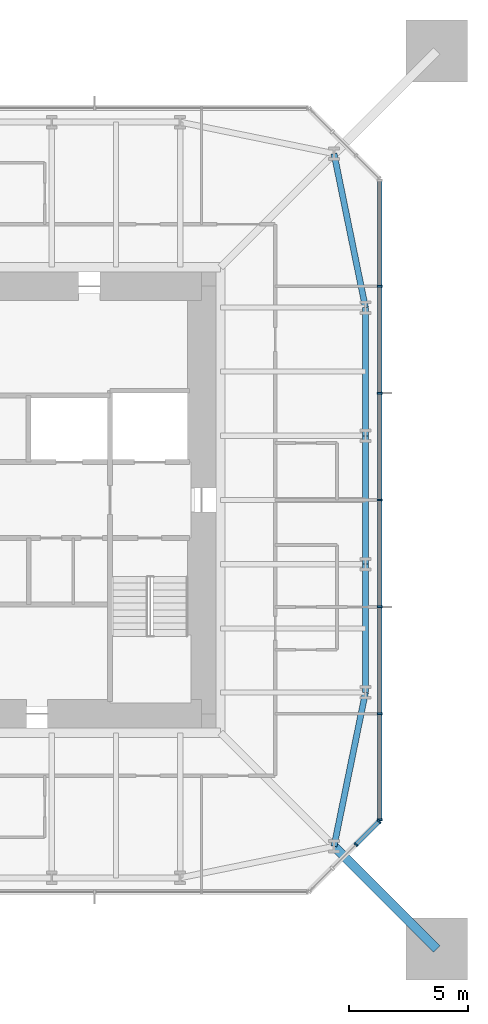
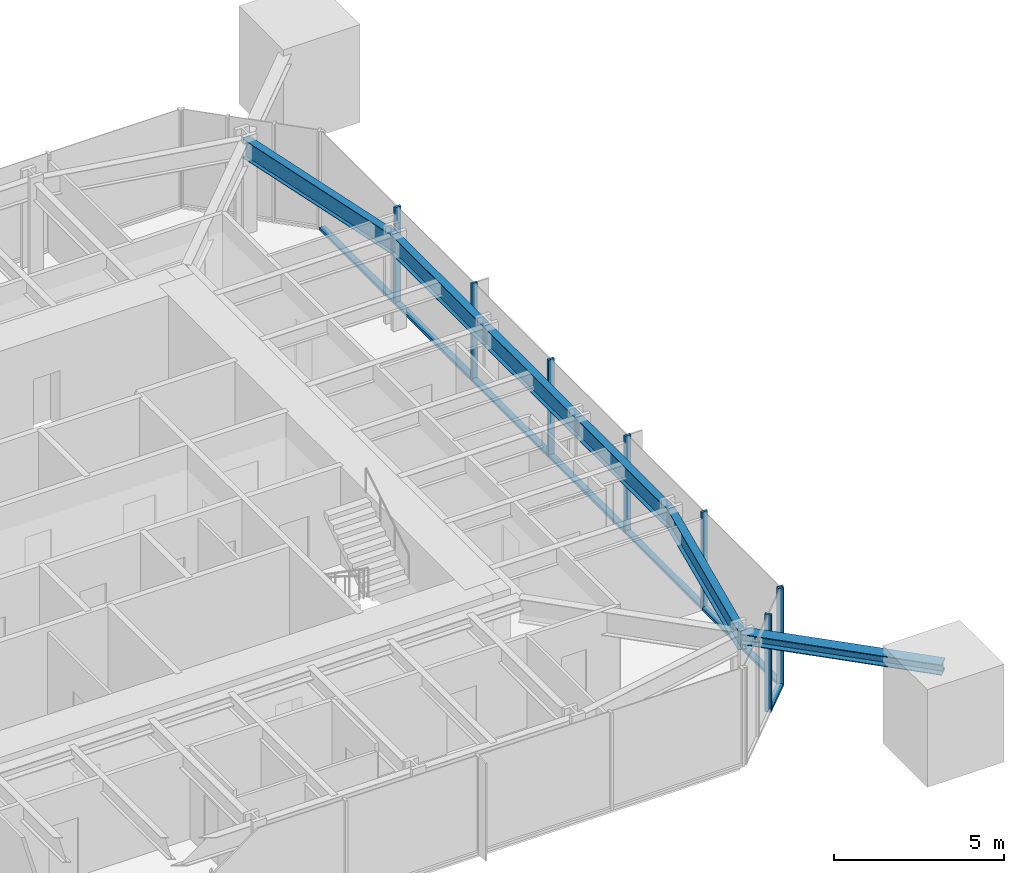
# One storey, part 3 of 9: 16 members, 5 beams, 2 elements without a shape of their own.
"""IFC4 building model written with IfcOpenShell, lengths in metres."""

from ifc_helpers import new_model, si_unit, direction, frame, origin, origin_2d, place, context, subcontext, project, spatial, rectangle, i_section, extrude, material, material_profile, profile_set, type_object, element, aggregate, save


model = new_model("IFC4")

# Units and contexts
model_context = context("Model", 3, precision=1e-05, world=origin(), true_north=direction((0.0, 1.0)))
body_context = subcontext(model_context, "Body", "Model", "MODEL_VIEW")
ifc_project = project(units=[si_unit("LENGTHUNIT", "METRE"), si_unit("AREAUNIT", "SQUARE_METRE"), si_unit("VOLUMEUNIT", "CUBIC_METRE"), si_unit("PLANEANGLEUNIT", "RADIAN"), si_unit("MASSUNIT", "GRAM", prefix="KILO")], contexts=[model_context])

# Site, building, storey
site_placement = place(None, origin())
site = spatial("IfcSite", under=ifc_project, at=site_placement, CompositionType="ELEMENT")
building_placement = place(site_placement, origin())
building = spatial("IfcBuilding", under=site, at=building_placement, Name="Iwan Alto Co-Living Towers", CompositionType="ELEMENT")
storey_placement = place(building_placement, frame((0.0, 0.0, 250.0)))
storey = spatial("IfcBuildingStorey", under=building, at=storey_placement, Name="L68", CompositionType="ELEMENT", Elevation=250.0)

# Curtain wall, members
ifc_material_1 = material(Name="Bronze aluminium unitised frame", Category="aluminium")
curtain_wall_type_1 = type_object("IfcCurtainWallType", Name="CURTAIN WALL CW-A", PredefinedType="NOTDEFINED", material=ifc_material_1)
curtain_wall_1_placement = place(storey_placement, origin())
curtain_wall_1 = element("IfcCurtainWall", 1, at=curtain_wall_1_placement, inside=storey, type_object=curtain_wall_type_1, Name="T1 curtain wall E L68", PredefinedType="NOTDEFINED")
ifc_material_2 = material(Name="Aluminium 6063-T6 bronze anodised", Category="aluminium")
ifc_material_profile_1 = material_profile(ifc_material_2, rectangle(XDim=0.199951171875, YDim=0.080078125, at=origin_2d()), Name="AL 80X200")
ifc_profile_set_1 = profile_set([ifc_material_profile_1], Name="Aluminium 6063-T6 bronze anodised")
member_type_1 = type_object("IfcMemberType", Name="CW-A MULLION 80X200", PredefinedType="MULLION", material=ifc_profile_set_1)
member_1_placement = place(storey_placement, frame((16.5, -13.4599609375, 0.0), z_axis=(0.0, 0.0, 1.0), x_axis=(-1.0, 0.0, 0.0)))
member_1 = element("IfcMember", 2, at=member_1_placement, type_object=member_type_1, Name="CW-A mullion 1", PredefinedType="MULLION", context=body_context, shape_type="SweptSolid", body=[
    extrude(rectangle(XDim=0.199951171875, YDim=0.080078125, at=origin_2d()), origin(), (0.0, 0.0, 1.0), 3.5),
])
member_2_placement = place(storey_placement, frame((16.5, -9.0, 0.0), z_axis=(0.0, 0.0, 1.0), x_axis=(-1.0, 0.0, 0.0)))
member_2 = element("IfcMember", 3, at=member_2_placement, type_object=member_type_1, Name="CW-A mullion 2", PredefinedType="MULLION", context=body_context, shape_type="SweptSolid", body=[
    extrude(rectangle(XDim=0.199951171875, YDim=0.080078125, at=origin_2d()), origin(), (0.0, 0.0, 1.0), 3.5),
])
member_3_placement = place(storey_placement, frame((16.5, -4.5, 0.0), z_axis=(0.0, 0.0, 1.0), x_axis=(-1.0, 0.0, 0.0)))
member_3 = element("IfcMember", 4, at=member_3_placement, type_object=member_type_1, Name="CW-A mullion 3", PredefinedType="MULLION", context=body_context, shape_type="SweptSolid", body=[
    extrude(rectangle(XDim=0.199951171875, YDim=0.080078125, at=origin_2d()), origin(), (0.0, 0.0, 1.0), 3.5),
])
member_4_placement = place(storey_placement, frame((16.5, 0.0, 0.0), z_axis=(0.0, 0.0, 1.0), x_axis=(-1.0, 0.0, 0.0)))
member_4 = element("IfcMember", 5, at=member_4_placement, type_object=member_type_1, Name="CW-A mullion 4", PredefinedType="MULLION", context=body_context, shape_type="SweptSolid", body=[
    extrude(rectangle(XDim=0.199951171875, YDim=0.080078125, at=origin_2d()), origin(), (0.0, 0.0, 1.0), 3.5),
])
member_5_placement = place(storey_placement, frame((16.5, 4.5, 0.0), z_axis=(0.0, 0.0, 1.0), x_axis=(-1.0, 0.0, 0.0)))
member_5 = element("IfcMember", 6, at=member_5_placement, type_object=member_type_1, Name="CW-A mullion 5", PredefinedType="MULLION", context=body_context, shape_type="SweptSolid", body=[
    extrude(rectangle(XDim=0.199951171875, YDim=0.080078125, at=origin_2d()), origin(), (0.0, 0.0, 1.0), 3.5),
])
member_6_placement = place(storey_placement, frame((16.5, 9.0, 0.0), z_axis=(0.0, 0.0, 1.0), x_axis=(-1.0, 0.0, 0.0)))
member_6 = element("IfcMember", 7, at=member_6_placement, type_object=member_type_1, Name="CW-A mullion 6", PredefinedType="MULLION", context=body_context, shape_type="SweptSolid", body=[
    extrude(rectangle(XDim=0.199951171875, YDim=0.080078125, at=origin_2d()), origin(), (0.0, 0.0, 1.0), 3.5),
])
ifc_material_3 = material(Name="Aluminium 6063-T6 bronze anodised", Category="aluminium")
ifc_material_profile_2 = material_profile(ifc_material_3, rectangle(XDim=0.199951171875, YDim=0.10009765625, at=origin_2d()), Name="AL 200X100")
ifc_profile_set_2 = profile_set([ifc_material_profile_2], Name="Aluminium 6063-T6 bronze anodised")
member_type_2 = type_object("IfcMemberType", Name="CW-A TRANSOM 200X100", PredefinedType="USERDEFINED", material=ifc_profile_set_2)
member_7_placement = place(storey_placement, frame((16.5, -13.419921875, 0.050048828125), z_axis=(0.0, 1.0, 0.0), x_axis=(-1.0, 0.0, 0.0)))
member_7 = element("IfcMember", 8, at=member_7_placement, type_object=member_type_2, Name="CW-A transom 1.1", ObjectType="TRANSOM", PredefinedType="USERDEFINED", context=body_context, shape_type="SweptSolid", body=[
    extrude(rectangle(XDim=0.199951171875, YDim=0.10009765625, at=origin_2d()), origin(), (0.0, 0.0, 1.0), 4.3798828125),
])
member_8_placement = place(storey_placement, frame((16.5, -8.9599609375, 0.050048828125), z_axis=(0.0, 1.0, 0.0), x_axis=(-1.0, 0.0, 0.0)))
member_8 = element("IfcMember", 9, at=member_8_placement, type_object=member_type_2, Name="CW-A transom 2.1", ObjectType="TRANSOM", PredefinedType="USERDEFINED", context=body_context, shape_type="SweptSolid", body=[
    extrude(rectangle(XDim=0.199951171875, YDim=0.10009765625, at=origin_2d()), origin(), (0.0, 0.0, 1.0), 4.419921875),
])
member_9_placement = place(storey_placement, frame((16.5, -4.4599609375, 0.050048828125), z_axis=(0.0, 1.0, 0.0), x_axis=(-1.0, 0.0, 0.0)))
member_9 = element("IfcMember", 10, at=member_9_placement, type_object=member_type_2, Name="CW-A transom 3.1", ObjectType="TRANSOM", PredefinedType="USERDEFINED", context=body_context, shape_type="SweptSolid", body=[
    extrude(rectangle(XDim=0.199951171875, YDim=0.10009765625, at=origin_2d()), origin(), (0.0, 0.0, 1.0), 4.419921875),
])
member_10_placement = place(storey_placement, frame((16.5, 0.0400390625, 0.050048828125), z_axis=(0.0, 1.0, 0.0), x_axis=(-1.0, 0.0, 0.0)))
member_10 = element("IfcMember", 11, at=member_10_placement, type_object=member_type_2, Name="CW-A transom 4.1", ObjectType="TRANSOM", PredefinedType="USERDEFINED", context=body_context, shape_type="SweptSolid", body=[
    extrude(rectangle(XDim=0.199951171875, YDim=0.10009765625, at=origin_2d()), origin(), (0.0, 0.0, 1.0), 4.419921875),
])
member_11_placement = place(storey_placement, frame((16.5, 4.5400390625, 0.050048828125), z_axis=(0.0, 1.0, 0.0), x_axis=(-1.0, 0.0, 0.0)))
member_11 = element("IfcMember", 12, at=member_11_placement, type_object=member_type_2, Name="CW-A transom 5.1", ObjectType="TRANSOM", PredefinedType="USERDEFINED", context=body_context, shape_type="SweptSolid", body=[
    extrude(rectangle(XDim=0.199951171875, YDim=0.10009765625, at=origin_2d()), origin(), (0.0, 0.0, 1.0), 4.419921875),
])
member_12_placement = place(storey_placement, frame((16.5, 9.0400390625, 0.050048828125), z_axis=(0.0, 1.0, 0.0), x_axis=(-1.0, 0.0, 0.0)))
member_12 = element("IfcMember", 13, at=member_12_placement, type_object=member_type_2, Name="CW-A transom 6.1", ObjectType="TRANSOM", PredefinedType="USERDEFINED", context=body_context, shape_type="SweptSolid", body=[
    extrude(rectangle(XDim=0.199951171875, YDim=0.10009765625, at=origin_2d()), origin(), (0.0, 0.0, 1.0), 4.3798828125),
])
aggregate(curtain_wall_1, [member_1, member_2, member_3, member_4, member_5, member_6, member_7, member_8, member_9, member_10, member_11, member_12])

ifc_material_4 = material(Name="Bronze aluminium unitised frame", Category="aluminium")
curtain_wall_type_2 = type_object("IfcCurtainWallType", Name="CURTAIN WALL CW-B", PredefinedType="NOTDEFINED", material=ifc_material_4)
curtain_wall_2_placement = place(storey_placement, origin())
curtain_wall_2 = element("IfcCurtainWall", 14, at=curtain_wall_2_placement, inside=storey, type_object=curtain_wall_type_2, Name="T1 chamfer curtain wall SE L68", PredefinedType="NOTDEFINED")
ifc_material_5 = material(Name="Aluminium 6063-T6 bronze anodised", Category="aluminium")
ifc_material_profile_3 = material_profile(ifc_material_5, rectangle(XDim=0.199951171875, YDim=0.080078125, at=origin_2d()), Name="AL 80X200")
ifc_profile_set_3 = profile_set([ifc_material_profile_3], Name="Aluminium 6063-T6 bronze anodised")
member_type_3 = type_object("IfcMemberType", Name="CW-B MULLION 80X200", PredefinedType="MULLION", material=ifc_profile_set_3)
member_13_placement = place(storey_placement, frame((15.5, -14.5, 0.0), z_axis=(0.0, 0.0, 1.0), x_axis=(-0.707106781187, 0.707106781187, 0.0)))
member_13 = element("IfcMember", 15, at=member_13_placement, type_object=member_type_3, Name="CW-B mullion 3", PredefinedType="MULLION", context=body_context, shape_type="SweptSolid", body=[
    extrude(rectangle(XDim=0.199951171875, YDim=0.080078125, at=origin_2d()), origin(), (0.0, 0.0, 1.0), 3.5),
])
member_14_placement = place(storey_placement, frame((16.4716796875, -13.5283203125, 0.0), z_axis=(0.0, 0.0, 1.0), x_axis=(-0.707106781187, 0.707106781187, 0.0)))
member_14 = element("IfcMember", 16, at=member_14_placement, type_object=member_type_3, Name="CW-B mullion 4", PredefinedType="MULLION", context=body_context, shape_type="SweptSolid", body=[
    extrude(rectangle(XDim=0.199951171875, YDim=0.080078125, at=origin_2d()), origin(), (0.0, 0.0, 1.0), 3.5),
])
ifc_material_6 = material(Name="Aluminium 6063-T6 bronze anodised", Category="aluminium")
ifc_material_profile_4 = material_profile(ifc_material_6, rectangle(XDim=0.199951171875, YDim=0.10009765625, at=origin_2d()), Name="AL 200X100")
ifc_profile_set_4 = profile_set([ifc_material_profile_4], Name="Aluminium 6063-T6 bronze anodised")
member_type_4 = type_object("IfcMemberType", Name="CW-B TRANSOM 200X100", PredefinedType="USERDEFINED", material=ifc_profile_set_4)
member_15_placement = place(storey_placement, frame((15.5283203125, -14.4716796875, 0.050048828125), z_axis=(0.707106781187, 0.707106781187, 0.0), x_axis=(-0.707106781187, 0.707106781187, 0.0)))
member_15 = element("IfcMember", 17, at=member_15_placement, type_object=member_type_4, Name="CW-B transom 3.1", ObjectType="TRANSOM", PredefinedType="USERDEFINED", context=body_context, shape_type="SweptSolid", body=[
    extrude(rectangle(XDim=0.199951171875, YDim=0.10009765625, at=origin_2d()), origin(), (0.0, 0.0, 1.0), 1.2939453125),
])
aggregate(curtain_wall_2, [member_13, member_14, member_15])

# Beams
ifc_material_7 = material(Name="Steel ASTM A992 Gr 50", Category="steel")
ifc_material_profile_5 = material_profile(ifc_material_7, i_section(OverallWidth=0.25390625, OverallDepth=0.683349609375, WebThickness=0.012451171875, FlangeThickness=0.018798828125, at=origin_2d()), Name="W27X94")
ifc_profile_set_5 = profile_set([ifc_material_profile_5], Name="Steel ASTM A992 Gr 50")
beam_type = type_object("IfcBeamType", Name="T1 EDGE BEAM W27X94", PredefinedType="BEAM", material=ifc_profile_set_5)
beam_1_placement = place(storey_placement, frame((14.57568359375, -14.57568359375, 2.928466796875), z_axis=(0.200347889618, 0.979724820103, 0.0), x_axis=(-0.979724820103, 0.200347889618, 0.0)))
element("IfcBeam", 18, at=beam_1_placement, inside=storey, type_object=beam_type, Name="T1 edge beam CSE L69", PredefinedType="BEAM", context=body_context, shape_type="SweptSolid", body=[
    extrude(i_section(OverallWidth=0.25390625, OverallDepth=0.683349609375, WebThickness=0.012451171875, FlangeThickness=0.018798828125, at=origin_2d()), origin(), (0.0, 0.0, 1.0), 6.609619140625),
])
beam_2_placement = place(storey_placement, frame((15.89990234375, -8.10009765625, 2.928466796875), z_axis=(0.0, 1.0, 0.0), x_axis=(-1.0, 0.0, 0.0)))
element("IfcBeam", 19, at=beam_2_placement, inside=storey, type_object=beam_type, Name="T1 edge beam E1 L69", PredefinedType="BEAM", context=body_context, shape_type="SweptSolid", body=[
    extrude(i_section(OverallWidth=0.25390625, OverallDepth=0.683349609375, WebThickness=0.012451171875, FlangeThickness=0.018798828125, at=origin_2d()), origin(), (0.0, 0.0, 1.0), 5.400146484375),
])
beam_3_placement = place(storey_placement, frame((15.89990234375, -2.699951171875, 2.928466796875), z_axis=(0.0, 1.0, 0.0), x_axis=(-1.0, 0.0, 0.0)))
element("IfcBeam", 20, at=beam_3_placement, inside=storey, type_object=beam_type, Name="T1 edge beam E2 L69", PredefinedType="BEAM", context=body_context, shape_type="SweptSolid", body=[
    extrude(i_section(OverallWidth=0.25390625, OverallDepth=0.683349609375, WebThickness=0.012451171875, FlangeThickness=0.018798828125, at=origin_2d()), origin(), (0.0, 0.0, 1.0), 5.39990234375),
])
beam_4_placement = place(storey_placement, frame((15.89990234375, 2.699951171875, 2.928466796875), z_axis=(0.0, 1.0, 0.0), x_axis=(-1.0, 0.0, 0.0)))
element("IfcBeam", 21, at=beam_4_placement, inside=storey, type_object=beam_type, Name="T1 edge beam E3 L69", PredefinedType="BEAM", context=body_context, shape_type="SweptSolid", body=[
    extrude(i_section(OverallWidth=0.25390625, OverallDepth=0.683349609375, WebThickness=0.012451171875, FlangeThickness=0.018798828125, at=origin_2d()), origin(), (0.0, 0.0, 1.0), 5.400146484375),
])
beam_5_placement = place(storey_placement, frame((15.89990234375, 8.10009765625, 2.928466796875), z_axis=(-0.200347889618, 0.979724820103, 0.0), x_axis=(-0.979724820103, -0.200347889618, 0.0)))
element("IfcBeam", 22, at=beam_5_placement, inside=storey, type_object=beam_type, Name="T1 edge beam E4 L69", PredefinedType="BEAM", context=body_context, shape_type="SweptSolid", body=[
    extrude(i_section(OverallWidth=0.25390625, OverallDepth=0.683349609375, WebThickness=0.012451171875, FlangeThickness=0.018798828125, at=origin_2d()), origin(), (0.0, 0.0, 1.0), 6.609619140625),
])

# Member
ifc_material_8 = material(Name="Steel ASTM A992 Gr 50", Category="steel")
ifc_material_profile_6 = material_profile(ifc_material_8, i_section(OverallWidth=0.393798828125, OverallDepth=0.3759765625, WebThickness=0.017333984375, FlangeThickness=0.027587890625, at=origin_2d()), Name="W14X145")
ifc_profile_set_6 = profile_set([ifc_material_profile_6], Name="Steel ASTM A992 Gr 50")
member_type_5 = type_object("IfcMemberType", Name="T1 MEGA COLUMN FLOOR TIE W14X145", PredefinedType="STRUT", material=ifc_profile_set_6)
member_16_placement = place(storey_placement, frame((18.89990234375, -18.89990234375, 3.08203125), z_axis=(-0.707106781187, 0.707106781187, 0.0), x_axis=(-0.707106781187, -0.707106781187, 0.0)))
element("IfcMember", 23, at=member_16_placement, inside=storey, type_object=member_type_5, Name="T1 mega column floor tie SE L69", PredefinedType="STRUT", context=body_context, shape_type="SweptSolid", body=[
    extrude(i_section(OverallWidth=0.393798828125, OverallDepth=0.3759765625, WebThickness=0.017333984375, FlangeThickness=0.027587890625, at=origin_2d()), origin(), (0.0, 0.0, 1.0), 6.115478515625),
])

save(model, "model.ifc")
